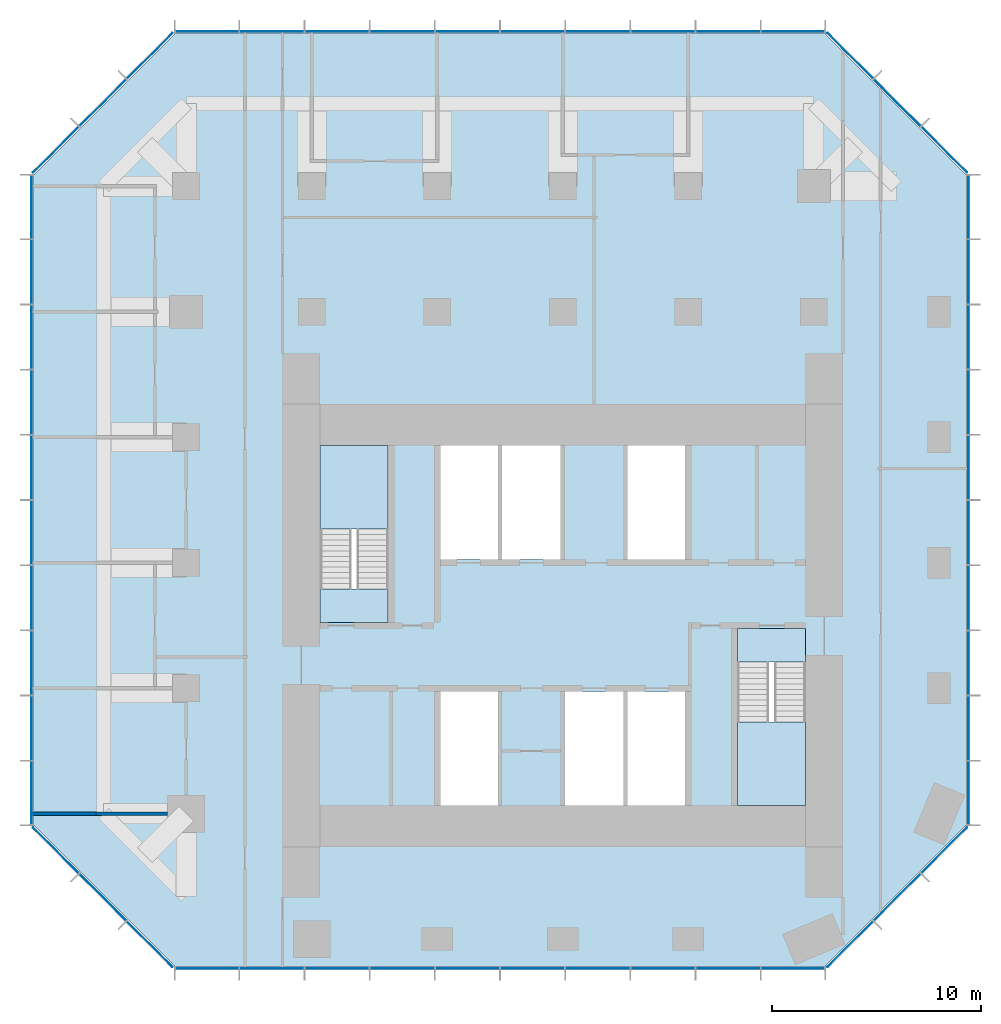
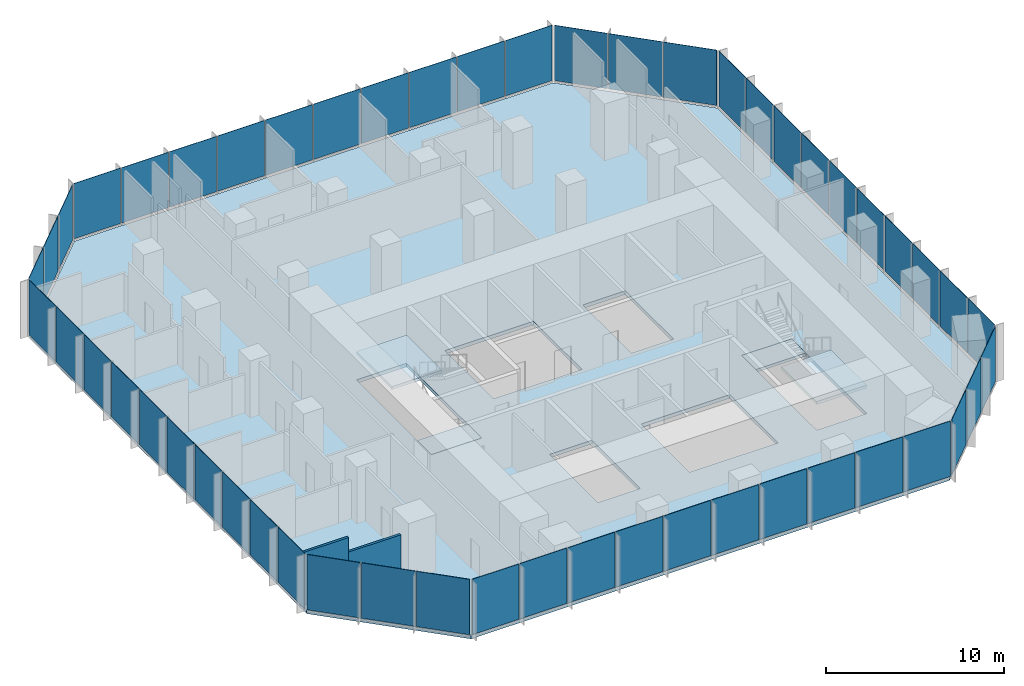
# One storey, part 7 of 11: 52 plates, 5 slabs, 2 walls, 10 elements without a shape of their own.
"""IFC4 building model written with IfcOpenShell, lengths in metres."""

from ifc_helpers import new_model, si_unit, direction, frame, frame_2d, origin, origin_2d, place, context, subcontext, project, spatial, polyline, rectangle, outline, extrude, material, layer, layer_set, type_object, element, aggregate, save


model = new_model("IFC4")

# Units and contexts
model_context = context("Model", 3, precision=1e-05, world=origin(), true_north=direction((0.0, 1.0)))
body_context = subcontext(model_context, "Body", "Model", "MODEL_VIEW")
ifc_project = project(units=[si_unit("LENGTHUNIT", "METRE"), si_unit("AREAUNIT", "SQUARE_METRE"), si_unit("VOLUMEUNIT", "CUBIC_METRE"), si_unit("PLANEANGLEUNIT", "RADIAN"), si_unit("MASSUNIT", "GRAM", prefix="KILO")], contexts=[model_context])

# Site, building, storey
site_placement = place(None, origin())
site = spatial("IfcSite", under=ifc_project, at=site_placement, CompositionType="ELEMENT")
building_placement = place(site_placement, origin())
building = spatial("IfcBuilding", under=site, at=building_placement, Name="Highveld Stack Headquarters", CompositionType="ELEMENT")
storey_placement = place(building_placement, frame((0.0, 0.0, 196.699951171875)))
storey = spatial("IfcBuildingStorey", under=building, at=storey_placement, Name="L48", CompositionType="ELEMENT", Elevation=196.699951171875)

# Curtain wall, plates
ifc_material_1 = material(Name="Aluminium bronze anodised", Category="aluminium")
ifc_layer_1 = layer(ifc_material_1, 0.199951171875)
ifc_layer_set_1 = layer_set([ifc_layer_1], Name="Aluminium bronze anodised")
curtain_wall_type_1 = type_object("IfcCurtainWallType", Name="CW1 TOWER UNITISED CURTAIN WALL", PredefinedType="NOTDEFINED", material=ifc_layer_set_1)
curtain_wall_1_placement = place(storey_placement, origin())
curtain_wall_1 = element("IfcCurtainWall", 1, at=curtain_wall_1_placement, inside=storey, type_object=curtain_wall_type_1, Name="Curtain wall CW1 L48 S", PredefinedType="NOTDEFINED")
ifc_material_2 = material(Name="Glass bronze tinted double glazed unit", Category="glass")
ifc_layer_2 = layer(ifc_material_2, 0.028076171875)
ifc_layer_set_2 = layer_set([ifc_layer_2], Name="Glass bronze tinted double glazed unit")
plate_type_1 = type_object("IfcPlateType", Name="CW1 PANEL BRONZE TINTED DOUBLE GLAZED UNIT", PredefinedType="CURTAIN_PANEL", material=ifc_layer_set_2)
plate_1_placement = place(storey_placement, frame((-11.005615234375, -13.39990234375, 0.10009765625), z_axis=(0.0, 0.0, 1.0), x_axis=(1.0, 0.0, 0.0)))
plate_1 = element("IfcPlate", 2, at=plate_1_placement, type_object=plate_type_1, Name="CW1 panel L48 1.1", PredefinedType="CURTAIN_PANEL", context=body_context, shape_type="SweptSolid", body=[
    extrude(rectangle(XDim=3.0185546875, YDim=0.028076171875, at=origin_2d()), origin(), (0.0, 0.0, 1.0), 3.800048828125),
])
plate_2_placement = place(storey_placement, frame((-7.906005859375, -13.39990234375, 0.10009765625), z_axis=(0.0, 0.0, 1.0), x_axis=(1.0, 0.0, 0.0)))
plate_2 = element("IfcPlate", 3, at=plate_2_placement, type_object=plate_type_1, Name="CW1 panel L48 2.1", PredefinedType="CURTAIN_PANEL", context=body_context, shape_type="SweptSolid", body=[
    extrude(rectangle(XDim=3.051025390625, YDim=0.028076171875, at=origin_2d()), origin(), (0.0, 0.0, 1.0), 3.800048828125),
])
plate_3_placement = place(storey_placement, frame((-4.7900390625, -13.39990234375, 0.10009765625), z_axis=(0.0, 0.0, 1.0), x_axis=(1.0, 0.0, 0.0)))
plate_3 = element("IfcPlate", 4, at=plate_3_placement, type_object=plate_type_1, Name="CW1 panel L48 3.1", PredefinedType="CURTAIN_PANEL", context=body_context, shape_type="SweptSolid", body=[
    extrude(rectangle(XDim=3.051025390625, YDim=0.028076171875, at=origin_2d()), origin(), (0.0, 0.0, 1.0), 3.800048828125),
])
plate_4_placement = place(storey_placement, frame((-1.674072265625, -13.39990234375, 0.10009765625), z_axis=(0.0, 0.0, 1.0), x_axis=(1.0, 0.0, 0.0)))
plate_4 = element("IfcPlate", 5, at=plate_4_placement, type_object=plate_type_1, Name="CW1 panel L48 4.1", PredefinedType="CURTAIN_PANEL", context=body_context, shape_type="SweptSolid", body=[
    extrude(rectangle(XDim=3.051025390625, YDim=0.028076171875, at=origin_2d()), origin(), (0.0, 0.0, 1.0), 3.800048828125),
])
plate_5_placement = place(storey_placement, frame((1.44189453125, -13.39990234375, 0.10009765625), z_axis=(0.0, 0.0, 1.0), x_axis=(1.0, 0.0, 0.0)))
plate_5 = element("IfcPlate", 6, at=plate_5_placement, type_object=plate_type_1, Name="CW1 panel L48 5.1", PredefinedType="CURTAIN_PANEL", context=body_context, shape_type="SweptSolid", body=[
    extrude(rectangle(XDim=3.051025390625, YDim=0.028076171875, at=origin_2d()), origin(), (0.0, 0.0, 1.0), 3.800048828125),
])
plate_6_placement = place(storey_placement, frame((4.55810546875, -13.39990234375, 0.10009765625), z_axis=(0.0, 0.0, 1.0), x_axis=(1.0, 0.0, 0.0)))
plate_6 = element("IfcPlate", 7, at=plate_6_placement, type_object=plate_type_1, Name="CW1 panel L48 6.1", PredefinedType="CURTAIN_PANEL", context=body_context, shape_type="SweptSolid", body=[
    extrude(rectangle(XDim=3.051025390625, YDim=0.028076171875, at=origin_2d()), origin(), (0.0, 0.0, 1.0), 3.800048828125),
])
plate_7_placement = place(storey_placement, frame((7.674072265625, -13.39990234375, 0.10009765625), z_axis=(0.0, 0.0, 1.0), x_axis=(1.0, 0.0, 0.0)))
plate_7 = element("IfcPlate", 8, at=plate_7_placement, type_object=plate_type_1, Name="CW1 panel L48 7.1", PredefinedType="CURTAIN_PANEL", context=body_context, shape_type="SweptSolid", body=[
    extrude(rectangle(XDim=3.051025390625, YDim=0.028076171875, at=origin_2d()), origin(), (0.0, 0.0, 1.0), 3.800048828125),
])
plate_8_placement = place(storey_placement, frame((10.789794921875, -13.39990234375, 0.10009765625), z_axis=(0.0, 0.0, 1.0), x_axis=(1.0, 0.0, 0.0)))
plate_8 = element("IfcPlate", 9, at=plate_8_placement, type_object=plate_type_1, Name="CW1 panel L48 8.1", PredefinedType="CURTAIN_PANEL", context=body_context, shape_type="SweptSolid", body=[
    extrude(rectangle(XDim=3.051025390625, YDim=0.028076171875, at=origin_2d()), origin(), (0.0, 0.0, 1.0), 3.800048828125),
])
plate_9_placement = place(storey_placement, frame((13.906005859375, -13.39990234375, 0.10009765625), z_axis=(0.0, 0.0, 1.0), x_axis=(1.0, 0.0, 0.0)))
plate_9 = element("IfcPlate", 10, at=plate_9_placement, type_object=plate_type_1, Name="CW1 panel L48 9.1", PredefinedType="CURTAIN_PANEL", context=body_context, shape_type="SweptSolid", body=[
    extrude(rectangle(XDim=3.051025390625, YDim=0.028076171875, at=origin_2d()), origin(), (0.0, 0.0, 1.0), 3.800048828125),
])
plate_10_placement = place(storey_placement, frame((17.005615234375, -13.39990234375, 0.10009765625), z_axis=(0.0, 0.0, 1.0), x_axis=(1.0, 0.0, 0.0)))
plate_10 = element("IfcPlate", 11, at=plate_10_placement, type_object=plate_type_1, Name="CW1 panel L48 10.1", PredefinedType="CURTAIN_PANEL", context=body_context, shape_type="SweptSolid", body=[
    extrude(rectangle(XDim=3.0185546875, YDim=0.028076171875, at=origin_2d()), origin(), (0.0, 0.0, 1.0), 3.800048828125),
])
aggregate(curtain_wall_1, [plate_1, plate_2, plate_3, plate_4, plate_5, plate_6, plate_7, plate_8, plate_9, plate_10])

curtain_wall_2_placement = place(storey_placement, origin())
curtain_wall_2 = element("IfcCurtainWall", 12, at=curtain_wall_2_placement, inside=storey, type_object=curtain_wall_type_1, Name="Curtain wall CW1 L48 E", PredefinedType="NOTDEFINED")
plate_11_placement = place(storey_placement, frame((25.39990234375, -5.005615234375, 0.10009765625), z_axis=(0.0, 0.0, 1.0), x_axis=(0.0, 1.0, 0.0)))
plate_11 = element("IfcPlate", 13, at=plate_11_placement, type_object=plate_type_1, Name="CW1 panel L48 1.1", PredefinedType="CURTAIN_PANEL", context=body_context, shape_type="SweptSolid", body=[
    extrude(rectangle(XDim=3.0185546875, YDim=0.028076171875, at=origin_2d()), origin(), (0.0, 0.0, 1.0), 3.800048828125),
])
plate_12_placement = place(storey_placement, frame((25.39990234375, -1.906005859375, 0.10009765625), z_axis=(0.0, 0.0, 1.0), x_axis=(0.0, 1.0, 0.0)))
plate_12 = element("IfcPlate", 14, at=plate_12_placement, type_object=plate_type_1, Name="CW1 panel L48 2.1", PredefinedType="CURTAIN_PANEL", context=body_context, shape_type="SweptSolid", body=[
    extrude(rectangle(XDim=3.051025390625, YDim=0.028076171875, at=origin_2d()), origin(), (0.0, 0.0, 1.0), 3.800048828125),
])
plate_13_placement = place(storey_placement, frame((25.39990234375, 1.2099609375, 0.10009765625), z_axis=(0.0, 0.0, 1.0), x_axis=(0.0, 1.0, 0.0)))
plate_13 = element("IfcPlate", 15, at=plate_13_placement, type_object=plate_type_1, Name="CW1 panel L48 3.1", PredefinedType="CURTAIN_PANEL", context=body_context, shape_type="SweptSolid", body=[
    extrude(rectangle(XDim=3.051025390625, YDim=0.028076171875, at=origin_2d()), origin(), (0.0, 0.0, 1.0), 3.800048828125),
])
plate_14_placement = place(storey_placement, frame((25.39990234375, 4.325927734375, 0.10009765625), z_axis=(0.0, 0.0, 1.0), x_axis=(0.0, 1.0, 0.0)))
plate_14 = element("IfcPlate", 16, at=plate_14_placement, type_object=plate_type_1, Name="CW1 panel L48 4.1", PredefinedType="CURTAIN_PANEL", context=body_context, shape_type="SweptSolid", body=[
    extrude(rectangle(XDim=3.051025390625, YDim=0.028076171875, at=origin_2d()), origin(), (0.0, 0.0, 1.0), 3.800048828125),
])
plate_15_placement = place(storey_placement, frame((25.39990234375, 7.44189453125, 0.10009765625), z_axis=(0.0, 0.0, 1.0), x_axis=(0.0, 1.0, 0.0)))
plate_15 = element("IfcPlate", 17, at=plate_15_placement, type_object=plate_type_1, Name="CW1 panel L48 5.1", PredefinedType="CURTAIN_PANEL", context=body_context, shape_type="SweptSolid", body=[
    extrude(rectangle(XDim=3.051025390625, YDim=0.028076171875, at=origin_2d()), origin(), (0.0, 0.0, 1.0), 3.800048828125),
])
plate_16_placement = place(storey_placement, frame((25.39990234375, 10.55810546875, 0.10009765625), z_axis=(0.0, 0.0, 1.0), x_axis=(0.0, 1.0, 0.0)))
plate_16 = element("IfcPlate", 18, at=plate_16_placement, type_object=plate_type_1, Name="CW1 panel L48 6.1", PredefinedType="CURTAIN_PANEL", context=body_context, shape_type="SweptSolid", body=[
    extrude(rectangle(XDim=3.051025390625, YDim=0.028076171875, at=origin_2d()), origin(), (0.0, 0.0, 1.0), 3.800048828125),
])
plate_17_placement = place(storey_placement, frame((25.39990234375, 13.674072265625, 0.10009765625), z_axis=(0.0, 0.0, 1.0), x_axis=(0.0, 1.0, 0.0)))
plate_17 = element("IfcPlate", 19, at=plate_17_placement, type_object=plate_type_1, Name="CW1 panel L48 7.1", PredefinedType="CURTAIN_PANEL", context=body_context, shape_type="SweptSolid", body=[
    extrude(rectangle(XDim=3.051025390625, YDim=0.028076171875, at=origin_2d()), origin(), (0.0, 0.0, 1.0), 3.800048828125),
])
plate_18_placement = place(storey_placement, frame((25.39990234375, 16.789794921875, 0.10009765625), z_axis=(0.0, 0.0, 1.0), x_axis=(0.0, 1.0, 0.0)))
plate_18 = element("IfcPlate", 20, at=plate_18_placement, type_object=plate_type_1, Name="CW1 panel L48 8.1", PredefinedType="CURTAIN_PANEL", context=body_context, shape_type="SweptSolid", body=[
    extrude(rectangle(XDim=3.051025390625, YDim=0.028076171875, at=origin_2d()), origin(), (0.0, 0.0, 1.0), 3.800048828125),
])
plate_19_placement = place(storey_placement, frame((25.39990234375, 19.906005859375, 0.10009765625), z_axis=(0.0, 0.0, 1.0), x_axis=(0.0, 1.0, 0.0)))
plate_19 = element("IfcPlate", 21, at=plate_19_placement, type_object=plate_type_1, Name="CW1 panel L48 9.1", PredefinedType="CURTAIN_PANEL", context=body_context, shape_type="SweptSolid", body=[
    extrude(rectangle(XDim=3.051025390625, YDim=0.028076171875, at=origin_2d()), origin(), (0.0, 0.0, 1.0), 3.800048828125),
])
plate_20_placement = place(storey_placement, frame((25.39990234375, 23.005615234375, 0.10009765625), z_axis=(0.0, 0.0, 1.0), x_axis=(0.0, 1.0, 0.0)))
plate_20 = element("IfcPlate", 22, at=plate_20_placement, type_object=plate_type_1, Name="CW1 panel L48 10.1", PredefinedType="CURTAIN_PANEL", context=body_context, shape_type="SweptSolid", body=[
    extrude(rectangle(XDim=3.0185546875, YDim=0.028076171875, at=origin_2d()), origin(), (0.0, 0.0, 1.0), 3.800048828125),
])
aggregate(curtain_wall_2, [plate_11, plate_12, plate_13, plate_14, plate_15, plate_16, plate_17, plate_18, plate_19, plate_20])

curtain_wall_3_placement = place(storey_placement, origin())
curtain_wall_3 = element("IfcCurtainWall", 23, at=curtain_wall_3_placement, inside=storey, type_object=curtain_wall_type_1, Name="Curtain wall CW1 L48 N", PredefinedType="NOTDEFINED")
plate_21_placement = place(storey_placement, frame((17.005615234375, 31.39990234375, 0.10009765625), z_axis=(0.0, 0.0, 1.0), x_axis=(-1.0, 0.0, 0.0)))
plate_21 = element("IfcPlate", 24, at=plate_21_placement, type_object=plate_type_1, Name="CW1 panel L48 1.1", PredefinedType="CURTAIN_PANEL", context=body_context, shape_type="SweptSolid", body=[
    extrude(rectangle(XDim=3.0185546875, YDim=0.028076171875, at=origin_2d()), origin(), (0.0, 0.0, 1.0), 3.800048828125),
])
plate_22_placement = place(storey_placement, frame((13.906005859375, 31.39990234375, 0.10009765625), z_axis=(0.0, 0.0, 1.0), x_axis=(-1.0, 0.0, 0.0)))
plate_22 = element("IfcPlate", 25, at=plate_22_placement, type_object=plate_type_1, Name="CW1 panel L48 2.1", PredefinedType="CURTAIN_PANEL", context=body_context, shape_type="SweptSolid", body=[
    extrude(rectangle(XDim=3.051025390625, YDim=0.028076171875, at=origin_2d()), origin(), (0.0, 0.0, 1.0), 3.800048828125),
])
plate_23_placement = place(storey_placement, frame((10.7900390625, 31.39990234375, 0.10009765625), z_axis=(0.0, 0.0, 1.0), x_axis=(-1.0, 0.0, 0.0)))
plate_23 = element("IfcPlate", 26, at=plate_23_placement, type_object=plate_type_1, Name="CW1 panel L48 3.1", PredefinedType="CURTAIN_PANEL", context=body_context, shape_type="SweptSolid", body=[
    extrude(rectangle(XDim=3.051025390625, YDim=0.028076171875, at=origin_2d()), origin(), (0.0, 0.0, 1.0), 3.800048828125),
])
plate_24_placement = place(storey_placement, frame((7.674072265625, 31.39990234375, 0.10009765625), z_axis=(0.0, 0.0, 1.0), x_axis=(-1.0, 0.0, 0.0)))
plate_24 = element("IfcPlate", 27, at=plate_24_placement, type_object=plate_type_1, Name="CW1 panel L48 4.1", PredefinedType="CURTAIN_PANEL", context=body_context, shape_type="SweptSolid", body=[
    extrude(rectangle(XDim=3.051025390625, YDim=0.028076171875, at=origin_2d()), origin(), (0.0, 0.0, 1.0), 3.800048828125),
])
plate_25_placement = place(storey_placement, frame((4.55810546875, 31.39990234375, 0.10009765625), z_axis=(0.0, 0.0, 1.0), x_axis=(-1.0, 0.0, 0.0)))
plate_25 = element("IfcPlate", 28, at=plate_25_placement, type_object=plate_type_1, Name="CW1 panel L48 5.1", PredefinedType="CURTAIN_PANEL", context=body_context, shape_type="SweptSolid", body=[
    extrude(rectangle(XDim=3.051025390625, YDim=0.028076171875, at=origin_2d()), origin(), (0.0, 0.0, 1.0), 3.800048828125),
])
plate_26_placement = place(storey_placement, frame((1.44189453125, 31.39990234375, 0.10009765625), z_axis=(0.0, 0.0, 1.0), x_axis=(-1.0, 0.0, 0.0)))
plate_26 = element("IfcPlate", 29, at=plate_26_placement, type_object=plate_type_1, Name="CW1 panel L48 6.1", PredefinedType="CURTAIN_PANEL", context=body_context, shape_type="SweptSolid", body=[
    extrude(rectangle(XDim=3.051025390625, YDim=0.028076171875, at=origin_2d()), origin(), (0.0, 0.0, 1.0), 3.800048828125),
])
plate_27_placement = place(storey_placement, frame((-1.674072265625, 31.39990234375, 0.10009765625), z_axis=(0.0, 0.0, 1.0), x_axis=(-1.0, 0.0, 0.0)))
plate_27 = element("IfcPlate", 30, at=plate_27_placement, type_object=plate_type_1, Name="CW1 panel L48 7.1", PredefinedType="CURTAIN_PANEL", context=body_context, shape_type="SweptSolid", body=[
    extrude(rectangle(XDim=3.051025390625, YDim=0.028076171875, at=origin_2d()), origin(), (0.0, 0.0, 1.0), 3.800048828125),
])
plate_28_placement = place(storey_placement, frame((-4.789794921875, 31.39990234375, 0.10009765625), z_axis=(0.0, 0.0, 1.0), x_axis=(-1.0, 0.0, 0.0)))
plate_28 = element("IfcPlate", 31, at=plate_28_placement, type_object=plate_type_1, Name="CW1 panel L48 8.1", PredefinedType="CURTAIN_PANEL", context=body_context, shape_type="SweptSolid", body=[
    extrude(rectangle(XDim=3.051025390625, YDim=0.028076171875, at=origin_2d()), origin(), (0.0, 0.0, 1.0), 3.800048828125),
])
plate_29_placement = place(storey_placement, frame((-7.906005859375, 31.39990234375, 0.10009765625), z_axis=(0.0, 0.0, 1.0), x_axis=(-1.0, 0.0, 0.0)))
plate_29 = element("IfcPlate", 32, at=plate_29_placement, type_object=plate_type_1, Name="CW1 panel L48 9.1", PredefinedType="CURTAIN_PANEL", context=body_context, shape_type="SweptSolid", body=[
    extrude(rectangle(XDim=3.051025390625, YDim=0.028076171875, at=origin_2d()), origin(), (0.0, 0.0, 1.0), 3.800048828125),
])
plate_30_placement = place(storey_placement, frame((-11.005615234375, 31.39990234375, 0.10009765625), z_axis=(0.0, 0.0, 1.0), x_axis=(-1.0, 0.0, 0.0)))
plate_30 = element("IfcPlate", 33, at=plate_30_placement, type_object=plate_type_1, Name="CW1 panel L48 10.1", PredefinedType="CURTAIN_PANEL", context=body_context, shape_type="SweptSolid", body=[
    extrude(rectangle(XDim=3.0185546875, YDim=0.028076171875, at=origin_2d()), origin(), (0.0, 0.0, 1.0), 3.800048828125),
])
aggregate(curtain_wall_3, [plate_21, plate_22, plate_23, plate_24, plate_25, plate_26, plate_27, plate_28, plate_29, plate_30])

curtain_wall_4_placement = place(storey_placement, origin())
curtain_wall_4 = element("IfcCurtainWall", 34, at=curtain_wall_4_placement, inside=storey, type_object=curtain_wall_type_1, Name="Curtain wall CW1 L48 W", PredefinedType="NOTDEFINED")
plate_31_placement = place(storey_placement, frame((-19.39990234375, 23.005615234375, 0.10009765625), z_axis=(0.0, 0.0, 1.0), x_axis=(0.0, -1.0, 0.0)))
plate_31 = element("IfcPlate", 35, at=plate_31_placement, type_object=plate_type_1, Name="CW1 panel L48 1.1", PredefinedType="CURTAIN_PANEL", context=body_context, shape_type="SweptSolid", body=[
    extrude(rectangle(XDim=3.0185546875, YDim=0.028076171875, at=origin_2d()), origin(), (0.0, 0.0, 1.0), 3.800048828125),
])
plate_32_placement = place(storey_placement, frame((-19.39990234375, 19.906005859375, 0.10009765625), z_axis=(0.0, 0.0, 1.0), x_axis=(0.0, -1.0, 0.0)))
plate_32 = element("IfcPlate", 36, at=plate_32_placement, type_object=plate_type_1, Name="CW1 panel L48 2.1", PredefinedType="CURTAIN_PANEL", context=body_context, shape_type="SweptSolid", body=[
    extrude(rectangle(XDim=3.051025390625, YDim=0.028076171875, at=origin_2d()), origin(), (0.0, 0.0, 1.0), 3.800048828125),
])
plate_33_placement = place(storey_placement, frame((-19.39990234375, 16.7900390625, 0.10009765625), z_axis=(0.0, 0.0, 1.0), x_axis=(0.0, -1.0, 0.0)))
plate_33 = element("IfcPlate", 37, at=plate_33_placement, type_object=plate_type_1, Name="CW1 panel L48 3.1", PredefinedType="CURTAIN_PANEL", context=body_context, shape_type="SweptSolid", body=[
    extrude(rectangle(XDim=3.051025390625, YDim=0.028076171875, at=origin_2d()), origin(), (0.0, 0.0, 1.0), 3.800048828125),
])
plate_34_placement = place(storey_placement, frame((-19.39990234375, 13.674072265625, 0.10009765625), z_axis=(0.0, 0.0, 1.0), x_axis=(0.0, -1.0, 0.0)))
plate_34 = element("IfcPlate", 38, at=plate_34_placement, type_object=plate_type_1, Name="CW1 panel L48 4.1", PredefinedType="CURTAIN_PANEL", context=body_context, shape_type="SweptSolid", body=[
    extrude(rectangle(XDim=3.051025390625, YDim=0.028076171875, at=origin_2d()), origin(), (0.0, 0.0, 1.0), 3.800048828125),
])
plate_35_placement = place(storey_placement, frame((-19.39990234375, 10.55810546875, 0.10009765625), z_axis=(0.0, 0.0, 1.0), x_axis=(0.0, -1.0, 0.0)))
plate_35 = element("IfcPlate", 39, at=plate_35_placement, type_object=plate_type_1, Name="CW1 panel L48 5.1", PredefinedType="CURTAIN_PANEL", context=body_context, shape_type="SweptSolid", body=[
    extrude(rectangle(XDim=3.051025390625, YDim=0.028076171875, at=origin_2d()), origin(), (0.0, 0.0, 1.0), 3.800048828125),
])
plate_36_placement = place(storey_placement, frame((-19.39990234375, 7.44189453125, 0.10009765625), z_axis=(0.0, 0.0, 1.0), x_axis=(0.0, -1.0, 0.0)))
plate_36 = element("IfcPlate", 40, at=plate_36_placement, type_object=plate_type_1, Name="CW1 panel L48 6.1", PredefinedType="CURTAIN_PANEL", context=body_context, shape_type="SweptSolid", body=[
    extrude(rectangle(XDim=3.051025390625, YDim=0.028076171875, at=origin_2d()), origin(), (0.0, 0.0, 1.0), 3.800048828125),
])
plate_37_placement = place(storey_placement, frame((-19.39990234375, 4.325927734375, 0.10009765625), z_axis=(0.0, 0.0, 1.0), x_axis=(0.0, -1.0, 0.0)))
plate_37 = element("IfcPlate", 41, at=plate_37_placement, type_object=plate_type_1, Name="CW1 panel L48 7.1", PredefinedType="CURTAIN_PANEL", context=body_context, shape_type="SweptSolid", body=[
    extrude(rectangle(XDim=3.051025390625, YDim=0.028076171875, at=origin_2d()), origin(), (0.0, 0.0, 1.0), 3.800048828125),
])
plate_38_placement = place(storey_placement, frame((-19.39990234375, 1.210205078125, 0.10009765625), z_axis=(0.0, 0.0, 1.0), x_axis=(0.0, -1.0, 0.0)))
plate_38 = element("IfcPlate", 42, at=plate_38_placement, type_object=plate_type_1, Name="CW1 panel L48 8.1", PredefinedType="CURTAIN_PANEL", context=body_context, shape_type="SweptSolid", body=[
    extrude(rectangle(XDim=3.051025390625, YDim=0.028076171875, at=origin_2d()), origin(), (0.0, 0.0, 1.0), 3.800048828125),
])
plate_39_placement = place(storey_placement, frame((-19.39990234375, -1.906005859375, 0.10009765625), z_axis=(0.0, 0.0, 1.0), x_axis=(0.0, -1.0, 0.0)))
plate_39 = element("IfcPlate", 43, at=plate_39_placement, type_object=plate_type_1, Name="CW1 panel L48 9.1", PredefinedType="CURTAIN_PANEL", context=body_context, shape_type="SweptSolid", body=[
    extrude(rectangle(XDim=3.051025390625, YDim=0.028076171875, at=origin_2d()), origin(), (0.0, 0.0, 1.0), 3.800048828125),
])
plate_40_placement = place(storey_placement, frame((-19.39990234375, -5.005615234375, 0.10009765625), z_axis=(0.0, 0.0, 1.0), x_axis=(0.0, -1.0, 0.0)))
plate_40 = element("IfcPlate", 44, at=plate_40_placement, type_object=plate_type_1, Name="CW1 panel L48 10.1", PredefinedType="CURTAIN_PANEL", context=body_context, shape_type="SweptSolid", body=[
    extrude(rectangle(XDim=3.0185546875, YDim=0.028076171875, at=origin_2d()), origin(), (0.0, 0.0, 1.0), 3.800048828125),
])
aggregate(curtain_wall_4, [plate_31, plate_32, plate_33, plate_34, plate_35, plate_36, plate_37, plate_38, plate_39, plate_40])

ifc_material_3 = material(Name="Aluminium bronze anodised", Category="aluminium")
ifc_layer_3 = layer(ifc_material_3, 0.199951171875)
ifc_layer_set_3 = layer_set([ifc_layer_3], Name="Aluminium bronze anodised")
curtain_wall_type_2 = type_object("IfcCurtainWallType", Name="CW2 TOWER CHAMFER UNITISED CURTAIN WALL", PredefinedType="NOTDEFINED", material=ifc_layer_set_3)
curtain_wall_5_placement = place(storey_placement, origin())
curtain_wall_5 = element("IfcCurtainWall", 45, at=curtain_wall_5_placement, inside=storey, type_object=curtain_wall_type_2, Name="Curtain wall CW2 L48 SE", PredefinedType="NOTDEFINED")
ifc_material_4 = material(Name="Glass bronze tinted double glazed unit", Category="glass")
ifc_layer_4 = layer(ifc_material_4, 0.028076171875)
ifc_layer_set_4 = layer_set([ifc_layer_4], Name="Glass bronze tinted double glazed unit")
plate_type_2 = type_object("IfcPlateType", Name="CW2 PANEL BRONZE TINTED DOUBLE GLAZED UNIT", PredefinedType="CURTAIN_PANEL", material=ifc_layer_set_4)
plate_41_placement = place(storey_placement, frame((19.740478515625, -12.239501953125, 0.10009765625), z_axis=(0.0, 0.0, 1.0), x_axis=(0.707106781187, 0.707106781187, 0.0)))
plate_41 = element("IfcPlate", 46, at=plate_41_placement, type_object=plate_type_2, Name="CW2 panel L48 1.1", PredefinedType="CURTAIN_PANEL", context=body_context, shape_type="SweptSolid", body=[
    extrude(rectangle(XDim=3.08251953125, YDim=0.028076171875, at=origin_2d()), origin(), (0.0, 0.0, 1.0), 3.800048828125),
])
plate_42_placement = place(storey_placement, frame((21.989990234375, -9.989990234375, 0.10009765625), z_axis=(0.0, 0.0, 1.0), x_axis=(0.707106781187, 0.707106781187, 0.0)))
plate_42 = element("IfcPlate", 47, at=plate_42_placement, type_object=plate_type_2, Name="CW2 panel L48 2.1", PredefinedType="CURTAIN_PANEL", context=body_context, shape_type="SweptSolid", body=[
    extrude(rectangle(XDim=3.14990234375, YDim=0.028076171875, at=origin_2d()), origin(), (0.0, 0.0, 1.0), 3.800048828125),
])
plate_43_placement = place(storey_placement, frame((24.239501953125, -7.740478515625, 0.10009765625), z_axis=(0.0, 0.0, 1.0), x_axis=(0.707106781187, 0.707106781187, 0.0)))
plate_43 = element("IfcPlate", 48, at=plate_43_placement, type_object=plate_type_2, Name="CW2 panel L48 3.1", PredefinedType="CURTAIN_PANEL", context=body_context, shape_type="SweptSolid", body=[
    extrude(rectangle(XDim=3.08251953125, YDim=0.028076171875, at=origin_2d()), origin(), (0.0, 0.0, 1.0), 3.800048828125),
])
aggregate(curtain_wall_5, [plate_41, plate_42, plate_43])

curtain_wall_6_placement = place(storey_placement, origin())
curtain_wall_6 = element("IfcCurtainWall", 49, at=curtain_wall_6_placement, inside=storey, type_object=curtain_wall_type_2, Name="Curtain wall CW2 L48 NE", PredefinedType="NOTDEFINED")
plate_44_placement = place(storey_placement, frame((24.239501953125, 25.740478515625, 0.10009765625), z_axis=(0.0, 0.0, 1.0), x_axis=(-0.707106781187, 0.707106781187, 0.0)))
plate_44 = element("IfcPlate", 50, at=plate_44_placement, type_object=plate_type_2, Name="CW2 panel L48 1.1", PredefinedType="CURTAIN_PANEL", context=body_context, shape_type="SweptSolid", body=[
    extrude(rectangle(XDim=3.08251953125, YDim=0.028076171875, at=origin_2d()), origin(), (0.0, 0.0, 1.0), 3.800048828125),
])
plate_45_placement = place(storey_placement, frame((21.989990234375, 27.989990234375, 0.10009765625), z_axis=(0.0, 0.0, 1.0), x_axis=(-0.707106781187, 0.707106781187, 0.0)))
plate_45 = element("IfcPlate", 51, at=plate_45_placement, type_object=plate_type_2, Name="CW2 panel L48 2.1", PredefinedType="CURTAIN_PANEL", context=body_context, shape_type="SweptSolid", body=[
    extrude(rectangle(XDim=3.14990234375, YDim=0.028076171875, at=origin_2d()), origin(), (0.0, 0.0, 1.0), 3.800048828125),
])
plate_46_placement = place(storey_placement, frame((19.740478515625, 30.239501953125, 0.10009765625), z_axis=(0.0, 0.0, 1.0), x_axis=(-0.707106781187, 0.707106781187, 0.0)))
plate_46 = element("IfcPlate", 52, at=plate_46_placement, type_object=plate_type_2, Name="CW2 panel L48 3.1", PredefinedType="CURTAIN_PANEL", context=body_context, shape_type="SweptSolid", body=[
    extrude(rectangle(XDim=3.08251953125, YDim=0.028076171875, at=origin_2d()), origin(), (0.0, 0.0, 1.0), 3.800048828125),
])
aggregate(curtain_wall_6, [plate_44, plate_45, plate_46])

curtain_wall_7_placement = place(storey_placement, origin())
curtain_wall_7 = element("IfcCurtainWall", 53, at=curtain_wall_7_placement, inside=storey, type_object=curtain_wall_type_2, Name="Curtain wall CW2 L48 NW", PredefinedType="NOTDEFINED")
plate_47_placement = place(storey_placement, frame((-13.740478515625, 30.239501953125, 0.10009765625), z_axis=(0.0, 0.0, 1.0), x_axis=(-0.707106781187, -0.707106781187, 0.0)))
plate_47 = element("IfcPlate", 54, at=plate_47_placement, type_object=plate_type_2, Name="CW2 panel L48 1.1", PredefinedType="CURTAIN_PANEL", context=body_context, shape_type="SweptSolid", body=[
    extrude(rectangle(XDim=3.08251953125, YDim=0.028076171875, at=origin_2d()), origin(), (0.0, 0.0, 1.0), 3.800048828125),
])
plate_48_placement = place(storey_placement, frame((-15.989990234375, 27.989990234375, 0.10009765625), z_axis=(0.0, 0.0, 1.0), x_axis=(-0.707106781187, -0.707106781187, 0.0)))
plate_48 = element("IfcPlate", 55, at=plate_48_placement, type_object=plate_type_2, Name="CW2 panel L48 2.1", PredefinedType="CURTAIN_PANEL", context=body_context, shape_type="SweptSolid", body=[
    extrude(rectangle(XDim=3.14990234375, YDim=0.028076171875, at=origin_2d()), origin(), (0.0, 0.0, 1.0), 3.800048828125),
])
plate_49_placement = place(storey_placement, frame((-18.239501953125, 25.740478515625, 0.10009765625), z_axis=(0.0, 0.0, 1.0), x_axis=(-0.707106781187, -0.707106781187, 0.0)))
plate_49 = element("IfcPlate", 56, at=plate_49_placement, type_object=plate_type_2, Name="CW2 panel L48 3.1", PredefinedType="CURTAIN_PANEL", context=body_context, shape_type="SweptSolid", body=[
    extrude(rectangle(XDim=3.08251953125, YDim=0.028076171875, at=origin_2d()), origin(), (0.0, 0.0, 1.0), 3.800048828125),
])
aggregate(curtain_wall_7, [plate_47, plate_48, plate_49])

curtain_wall_8_placement = place(storey_placement, origin())
curtain_wall_8 = element("IfcCurtainWall", 57, at=curtain_wall_8_placement, inside=storey, type_object=curtain_wall_type_2, Name="Curtain wall CW2 L48 SW", PredefinedType="NOTDEFINED")
plate_50_placement = place(storey_placement, frame((-18.239501953125, -7.740478515625, 0.10009765625), z_axis=(0.0, 0.0, 1.0), x_axis=(0.707106781187, -0.707106781187, 0.0)))
plate_50 = element("IfcPlate", 58, at=plate_50_placement, type_object=plate_type_2, Name="CW2 panel L48 1.1", PredefinedType="CURTAIN_PANEL", context=body_context, shape_type="SweptSolid", body=[
    extrude(rectangle(XDim=3.08251953125, YDim=0.028076171875, at=origin_2d()), origin(), (0.0, 0.0, 1.0), 3.800048828125),
])
plate_51_placement = place(storey_placement, frame((-15.989990234375, -9.989990234375, 0.10009765625), z_axis=(0.0, 0.0, 1.0), x_axis=(0.707106781187, -0.707106781187, 0.0)))
plate_51 = element("IfcPlate", 59, at=plate_51_placement, type_object=plate_type_2, Name="CW2 panel L48 2.1", PredefinedType="CURTAIN_PANEL", context=body_context, shape_type="SweptSolid", body=[
    extrude(rectangle(XDim=3.14990234375, YDim=0.028076171875, at=origin_2d()), origin(), (0.0, 0.0, 1.0), 3.800048828125),
])
plate_52_placement = place(storey_placement, frame((-13.740478515625, -12.239501953125, 0.10009765625), z_axis=(0.0, 0.0, 1.0), x_axis=(0.707106781187, -0.707106781187, 0.0)))
plate_52 = element("IfcPlate", 60, at=plate_52_placement, type_object=plate_type_2, Name="CW2 panel L48 3.1", PredefinedType="CURTAIN_PANEL", context=body_context, shape_type="SweptSolid", body=[
    extrude(rectangle(XDim=3.08251953125, YDim=0.028076171875, at=origin_2d()), origin(), (0.0, 0.0, 1.0), 3.800048828125),
])
aggregate(curtain_wall_8, [plate_50, plate_51, plate_52])

# Slab
ifc_material_5 = material(Name="Concrete C60/75", Category="concrete")
ifc_layer_5 = layer(ifc_material_5, 0.25)
ifc_layer_set_5 = layer_set([ifc_layer_5], Name="Concrete C60/75")
slab_type_1 = type_object("IfcSlabType", Name="PT FLAT SLAB 250", PredefinedType="FLOOR", material=ifc_layer_set_5)
slab_1_placement = place(storey_placement, frame((0.0, 0.0, -0.25)))
element("IfcSlab", 61, at=slab_1_placement, inside=storey, type_object=slab_type_1, Name="Floor slab L48", PredefinedType="FLOOR", context=body_context, shape_type="SweptSolid", body=[
    extrude(outline(polyline([(-12.53857421875, -13.300048828125), (18.53857421875, -13.300048828125), (25.300048828125, -6.53857421875), (25.300048828125, 24.53857421875), (18.53857421875, 31.300048828125), (-12.53857421875, 31.300048828125), (-19.300048828125, 24.53857421875), (-19.300048828125, -6.53857421875), (-12.53857421875, -13.300048828125)]), holes=[polyline([(0.14990234375, 6.14990234375), (5.89990234375, 6.14990234375), (5.89990234375, 11.60009765625), (0.14990234375, 11.60009765625), (0.14990234375, 6.14990234375)]), polyline([(9.10009765625, 6.14990234375), (11.85009765625, 6.14990234375), (11.85009765625, 11.60009765625), (9.10009765625, 11.60009765625), (9.10009765625, 6.14990234375)]), polyline([(6.10009765625, -5.60009765625), (11.85009765625, -5.60009765625), (11.85009765625, -0.14990234375), (6.10009765625, -0.14990234375), (6.10009765625, -5.60009765625)]), polyline([(0.14990234375, -5.60009765625), (2.89990234375, -5.60009765625), (2.89990234375, -0.14990234375), (0.14990234375, -0.14990234375), (0.14990234375, -5.60009765625)]), polyline([(-5.60009765625, 3.14990234375), (-2.35009765625, 3.14990234375), (-2.35009765625, 11.60009765625), (-5.60009765625, 11.60009765625), (-5.60009765625, 3.14990234375)]), polyline([(14.35009765625, -5.60009765625), (17.60009765625, -5.60009765625), (17.60009765625, 2.85009765625), (14.35009765625, 2.85009765625), (14.35009765625, -5.60009765625)])]), origin(), (0.0, 0.0, 1.0), 0.25),
])

# Stair, slabs
ifc_material_6 = material(Name="Concrete C40/50, precast", Category="concrete")
stair_type_1 = type_object("IfcStairType", Name="STAIR S1 HALF TURN 1500", PredefinedType="HALF_TURN_STAIR", material=ifc_material_6)
stair_1_placement = place(storey_placement, origin())
stair_1 = element("IfcStair", 62, at=stair_1_placement, inside=storey, type_object=stair_type_1, Name="Stair S1 L48", PredefinedType="HALF_TURN_STAIR")
ifc_material_7 = material(Name="Concrete C40/50, precast", Category="concrete")
ifc_layer_6 = layer(ifc_material_7, 0.199951171875)
ifc_layer_set_6 = layer_set([ifc_layer_6], Name="Concrete C40/50, precast")
slab_type_2 = type_object("IfcSlabType", Name="STAIR LANDING 200", PredefinedType="LANDING", material=ifc_layer_set_6)
slab_2_placement = place(storey_placement, frame((0.0, 0.0, 1.75)))
slab_2 = element("IfcSlab", 63, at=slab_2_placement, type_object=slab_type_2, Name="S1 landing 1", PredefinedType="LANDING", context=body_context, shape_type="SweptSolid", body=[
    extrude(outline(polyline([(-5.60009765625, 7.610107421875), (-2.35009765625, 7.610107421875), (-2.35009765625, 11.60009765625), (-5.60009765625, 11.60009765625), (-5.60009765625, 7.610107421875)])), origin(), (0.0, 0.0, 1.0), 0.199951171875),
])
slab_3_placement = place(storey_placement, frame((0.0, 0.0, -0.199951171875)))
slab_3 = element("IfcSlab", 64, at=slab_3_placement, type_object=slab_type_2, Name="S1 landing 2", PredefinedType="LANDING", context=body_context, shape_type="SweptSolid", body=[
    extrude(outline(polyline([(-5.60009765625, 3.14990234375), (-2.35009765625, 3.14990234375), (-2.35009765625, 4.75), (-5.60009765625, 4.75), (-5.60009765625, 3.14990234375)])), origin(), (0.0, 0.0, 1.0), 0.199951171875),
])
aggregate(stair_1, [slab_2, slab_3])

ifc_material_8 = material(Name="Concrete C40/50, precast", Category="concrete")
stair_type_2 = type_object("IfcStairType", Name="STAIR S2 HALF TURN 1500", PredefinedType="HALF_TURN_STAIR", material=ifc_material_8)
stair_2_placement = place(storey_placement, origin())
stair_2 = element("IfcStair", 65, at=stair_2_placement, inside=storey, type_object=stair_type_2, Name="Stair S2 L48", PredefinedType="HALF_TURN_STAIR")
slab_4_placement = place(storey_placement, frame((0.0, 0.0, 1.75)))
slab_4 = element("IfcSlab", 66, at=slab_4_placement, type_object=slab_type_2, Name="S2 landing 1", PredefinedType="LANDING", context=body_context, shape_type="SweptSolid", body=[
    extrude(outline(polyline([(14.35009765625, -5.60009765625), (17.60009765625, -5.60009765625), (17.60009765625, -1.610107421875), (14.35009765625, -1.610107421875), (14.35009765625, -5.60009765625)])), origin(), (0.0, 0.0, 1.0), 0.199951171875),
])
slab_5_placement = place(storey_placement, frame((0.0, 0.0, -0.199951171875)))
slab_5 = element("IfcSlab", 67, at=slab_5_placement, type_object=slab_type_2, Name="S2 landing 2", PredefinedType="LANDING", context=body_context, shape_type="SweptSolid", body=[
    extrude(outline(polyline([(14.35009765625, 1.25), (17.60009765625, 1.25), (17.60009765625, 2.85009765625), (14.35009765625, 2.85009765625), (14.35009765625, 1.25)])), origin(), (0.0, 0.0, 1.0), 0.199951171875),
])
aggregate(stair_2, [slab_4, slab_5])

# Walls
ifc_material_9 = material(Name="Gypsum plasterboard on steel studs", Category="steel")
ifc_layer_7 = layer(ifc_material_9, 0.14990234375)
ifc_layer_set_7 = layer_set([ifc_layer_7], Name="Gypsum plasterboard on steel studs")
wall_type = type_object("IfcWallType", Name="PARTITION 150 PLASTERBOARD", PredefinedType="PARTITIONING", material=ifc_layer_set_7)
wall_1_placement = place(storey_placement, frame((-19.39990234375, -6.0, 0.0), z_axis=(0.0, 0.0, 1.0), x_axis=(1.0, 0.0, 0.0)))
element("IfcWall", 68, at=wall_1_placement, inside=storey, type_object=wall_type, Name="Partition Office L48", PredefinedType="PARTITIONING", context=body_context, shape_type="SweptSolid", body=[
    extrude(rectangle(XDim=3.08984375, YDim=0.14990234375, at=frame_2d((1.544921875, 0.0))), origin(), (0.0, 0.0, 1.0), 3.650146484375),
])
wall_2_placement = place(storey_placement, frame((-16.31005859375, -6.0, 0.0), z_axis=(0.0, 0.0, 1.0), x_axis=(1.0, 0.0, 0.0)))
element("IfcWall", 69, at=wall_2_placement, inside=storey, type_object=wall_type, Name="Partition Office L48", PredefinedType="PARTITIONING", context=body_context, shape_type="SweptSolid", body=[
    extrude(rectangle(XDim=3.41015625, YDim=0.14990234375, at=frame_2d((1.705078125, 0.0))), origin(), (0.0, 0.0, 1.0), 2.650146484375),
])

save(model, "model.ifc")
